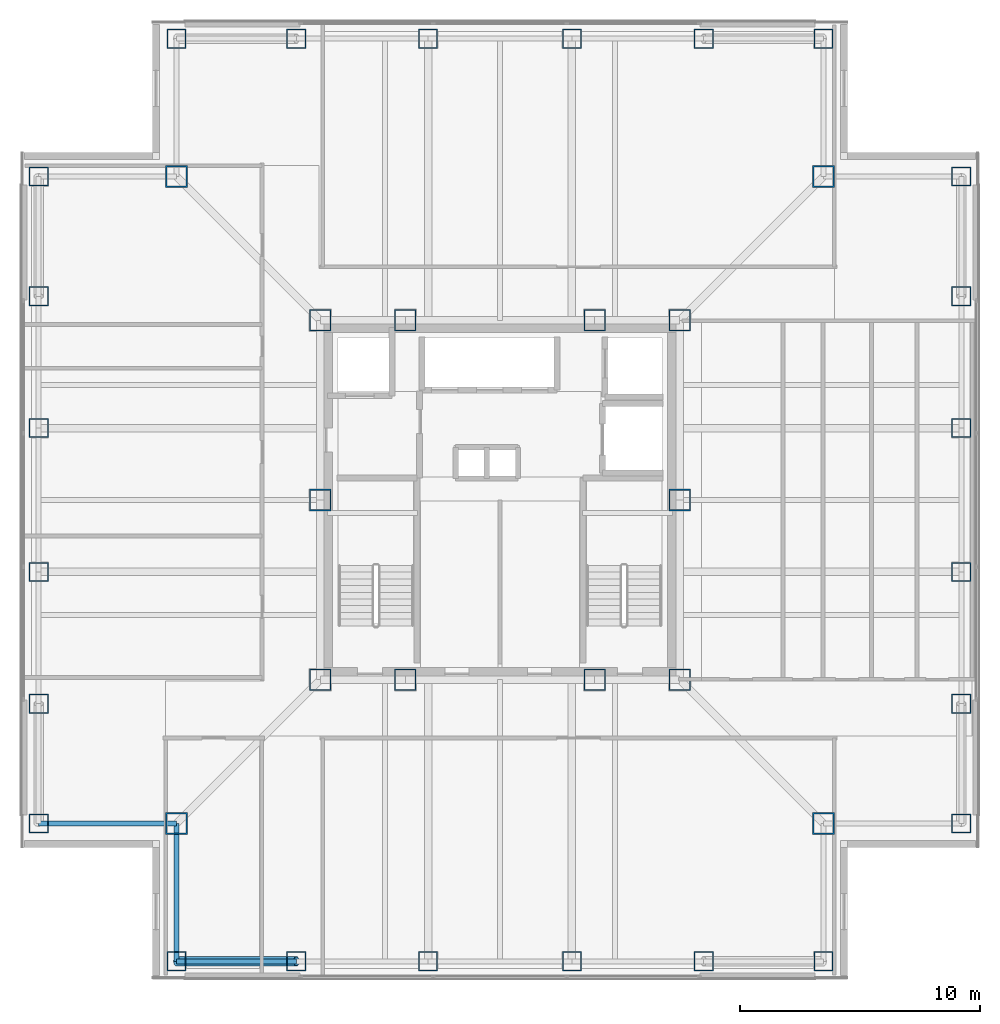
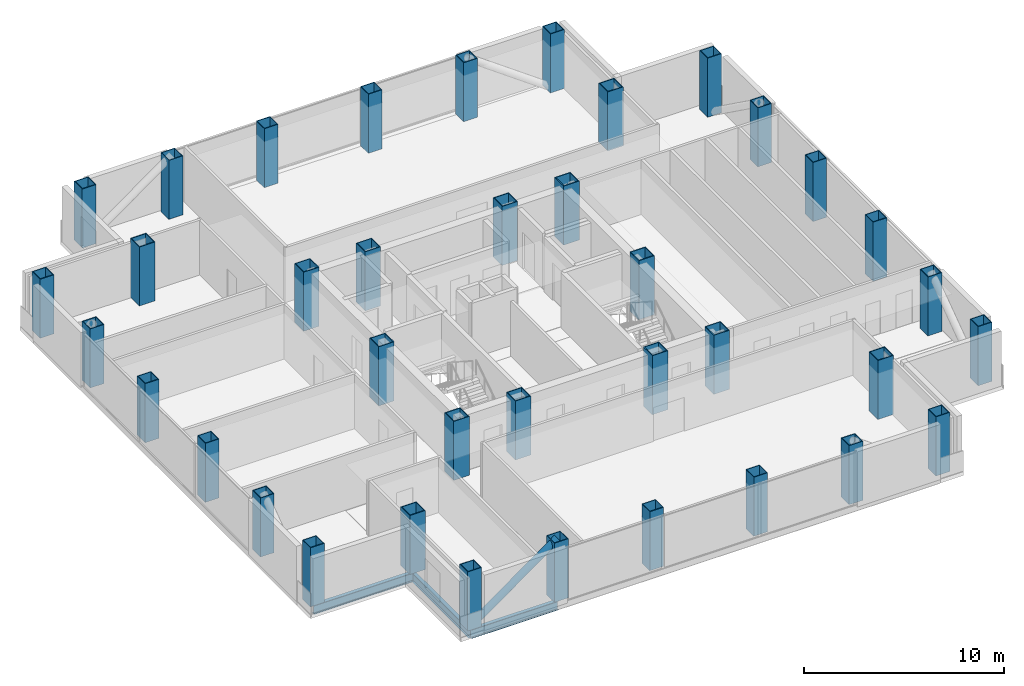
# One storey, part 1 of 16: 38 columns, 3 beams, 1 member.
"""IFC4 building model written with IfcOpenShell, lengths in metres."""

from ifc_helpers import new_model, si_unit, direction, frame, origin, origin_2d, place, context, subcontext, project, spatial, hollow_rectangle, hollow_circle, i_section, extrude, material, material_profile, profile_set, type_object, element, save


model = new_model("IFC4")

# Units and contexts
model_context = context("Model", 3, precision=1e-05, world=origin(), true_north=direction((0.0, 1.0)))
body_context = subcontext(model_context, "Body", "Model", "MODEL_VIEW")
ifc_project = project(units=[si_unit("LENGTHUNIT", "METRE"), si_unit("AREAUNIT", "SQUARE_METRE"), si_unit("VOLUMEUNIT", "CUBIC_METRE"), si_unit("PLANEANGLEUNIT", "RADIAN"), si_unit("MASSUNIT", "GRAM", prefix="KILO")], contexts=[model_context])

# Site, building, storey
site_placement = place(None, origin())
site = spatial("IfcSite", under=ifc_project, at=site_placement, CompositionType="ELEMENT")
building_placement = place(site_placement, origin())
building = spatial("IfcBuilding", under=site, at=building_placement, Name="Trevonay Congress Spire", CompositionType="ELEMENT")
storey_placement = place(building_placement, frame((0.0, 0.0, 202.199951171875)))
storey = spatial("IfcBuildingStorey", under=building, at=storey_placement, Name="L52", CompositionType="ELEMENT", Elevation=202.199951171875)

# Columns
ifc_material_1 = material(Name="Steel ASTM A572 Grade 50", Category="steel")
ifc_material_profile_1 = material_profile(ifc_material_1, hollow_rectangle(XDim=0.89990234375, YDim=0.89990234375, WallThickness=0.044921875, at=origin_2d()), Name="BOX 900x900x45")
ifc_profile_set_1 = profile_set([ifc_material_profile_1], Name="Steel ASTM A572 Grade 50")
column_type_1 = type_object("IfcColumnType", Name="COL-CORE-BOX900", PredefinedType="COLUMN", material=ifc_profile_set_1)
for number, where, z_axis, x_axis, name in (
    (1, (-7.5, -7.5, 0.0), (0.0, 0.0, 1.0), (1.0, 0.0, 0.0), "L52 column C04 at CC-SW"),
    (2, (-3.949951171875, -7.5, 0.0), (0.0, 0.0, 1.0), (1.0, 0.0, 0.0), "L52 column C04 at CC-SMW"),
    (3, (3.949951171875, -7.5, 0.0), (0.0, 0.0, 1.0), (1.0, 0.0, 0.0), "L52 column C04 at CC-SME"),
    (4, (7.5, -7.5, 0.0), (0.0, 0.0, 1.0), (1.0, 0.0, 0.0), "L52 column C04 at CC-SE"),
    (5, (7.5, 0.0, 0.0), (0.0, 0.0, 1.0), (1.0, 0.0, 0.0), "L52 column C04 at CC-E"),
    (6, (7.5, 7.5, 0.0), (0.0, 0.0, 1.0), (1.0, 0.0, 0.0), "L52 column C04 at CC-NE"),
    (7, (3.949951171875, 7.5, 0.0), (0.0, 0.0, 1.0), (1.0, 0.0, 0.0), "L52 column C04 at CC-NME"),
    (8, (-3.949951171875, 7.5, 0.0), (0.0, 0.0, 1.0), (1.0, 0.0, 0.0), "L52 column C04 at CC-NMW"),
    (9, (-7.5, 7.5, 0.0), (0.0, 0.0, 1.0), (1.0, 0.0, 0.0), "L52 column C04 at CC-NW"),
    (10, (-7.5, 0.0, 0.0), (0.0, 0.0, 1.0), (1.0, 0.0, 0.0), "L52 column C04 at CC-W"),
):
    element("IfcColumn", number, at=place(storey_placement, frame(where, z_axis=z_axis, x_axis=x_axis)), inside=storey, type_object=column_type_1, Name=name, PredefinedType="COLUMN", context=body_context, shape_type="SweptSolid", body=[
        extrude(hollow_rectangle(XDim=0.89990234375, YDim=0.89990234375, WallThickness=0.044921875, at=origin_2d()), origin(), (0.0, 0.0, 1.0), 3.60009765625),
    ])
ifc_material_profile_2 = material_profile(ifc_material_1, hollow_rectangle(XDim=0.800048828125, YDim=0.800048828125, WallThickness=0.0400390625, at=origin_2d()), Name="BOX 800x800x40")
ifc_profile_set_2 = profile_set([ifc_material_profile_2], Name="Steel ASTM A572 Grade 50")
column_type_2 = type_object("IfcColumnType", Name="COL-TUBE-BOX800", PredefinedType="COLUMN", material=ifc_profile_set_2)
for number, where, z_axis, x_axis, name in (
    (11, (-13.5, -19.25, 0.0), (0.0, 0.0, 1.0), (1.0, 0.0, 0.0), "L52 column C16 at TS-1"),
    (12, (-13.5, 19.25, 0.0), (0.0, 0.0, 1.0), (1.0, 0.0, 0.0), "L52 column C16 at TN-1"),
    (13, (-19.25, -13.5, 0.0), (0.0, 0.0, 1.0), (1.0, 0.0, 0.0), "L52 column C16 at TW-1"),
    (14, (19.25, -13.5, 0.0), (0.0, 0.0, 1.0), (1.0, 0.0, 0.0), "L52 column C16 at TE-1"),
    (15, (-8.5, -19.25, 0.0), (0.0, 0.0, 1.0), (1.0, 0.0, 0.0), "L52 column C16 at TS-2"),
    (16, (-8.5, 19.25, 0.0), (0.0, 0.0, 1.0), (1.0, 0.0, 0.0), "L52 column C16 at TN-2"),
    (17, (-19.25, -8.5, 0.0), (0.0, 0.0, 1.0), (1.0, 0.0, 0.0), "L52 column C16 at TW-2"),
    (18, (19.25, -8.5, 0.0), (0.0, 0.0, 1.0), (1.0, 0.0, 0.0), "L52 column C16 at TE-2"),
    (19, (-3.0, -19.25, 0.0), (0.0, 0.0, 1.0), (1.0, 0.0, 0.0), "L52 column C16 at TS-3"),
    (20, (-3.0, 19.25, 0.0), (0.0, 0.0, 1.0), (1.0, 0.0, 0.0), "L52 column C16 at TN-3"),
    (21, (-19.25, -3.0, 0.0), (0.0, 0.0, 1.0), (1.0, 0.0, 0.0), "L52 column C16 at TW-3"),
    (22, (19.25, -3.0, 0.0), (0.0, 0.0, 1.0), (1.0, 0.0, 0.0), "L52 column C16 at TE-3"),
    (23, (3.0, -19.25, 0.0), (0.0, 0.0, 1.0), (1.0, 0.0, 0.0), "L52 column C16 at TS-4"),
    (24, (3.0, 19.25, 0.0), (0.0, 0.0, 1.0), (1.0, 0.0, 0.0), "L52 column C16 at TN-4"),
    (25, (-19.25, 3.0, 0.0), (0.0, 0.0, 1.0), (1.0, 0.0, 0.0), "L52 column C16 at TW-4"),
    (26, (19.25, 3.0, 0.0), (0.0, 0.0, 1.0), (1.0, 0.0, 0.0), "L52 column C16 at TE-4"),
    (27, (8.5, -19.25, 0.0), (0.0, 0.0, 1.0), (1.0, 0.0, 0.0), "L52 column C16 at TS-5"),
    (28, (8.5, 19.25, 0.0), (0.0, 0.0, 1.0), (1.0, 0.0, 0.0), "L52 column C16 at TN-5"),
    (29, (-19.25, 8.5, 0.0), (0.0, 0.0, 1.0), (1.0, 0.0, 0.0), "L52 column C16 at TW-5"),
    (30, (19.25, 8.5, 0.0), (0.0, 0.0, 1.0), (1.0, 0.0, 0.0), "L52 column C16 at TE-5"),
    (31, (13.5, -19.25, 0.0), (0.0, 0.0, 1.0), (1.0, 0.0, 0.0), "L52 column C16 at TS-6"),
    (32, (13.5, 19.25, 0.0), (0.0, 0.0, 1.0), (1.0, 0.0, 0.0), "L52 column C16 at TN-6"),
    (33, (-19.25, 13.5, 0.0), (0.0, 0.0, 1.0), (1.0, 0.0, 0.0), "L52 column C16 at TW-6"),
    (34, (19.25, 13.5, 0.0), (0.0, 0.0, 1.0), (1.0, 0.0, 0.0), "L52 column C16 at TE-6"),
):
    element("IfcColumn", number, at=place(storey_placement, frame(where, z_axis=z_axis, x_axis=x_axis)), inside=storey, type_object=column_type_2, Name=name, PredefinedType="COLUMN", context=body_context, shape_type="SweptSolid", body=[
        extrude(hollow_rectangle(XDim=0.800048828125, YDim=0.800048828125, WallThickness=0.0400390625, at=origin_2d()), origin(), (0.0, 0.0, 1.0), 3.60009765625),
    ])
ifc_material_profile_3 = material_profile(ifc_material_1, hollow_rectangle(XDim=0.89990234375, YDim=0.89990234375, WallThickness=0.044921875, at=origin_2d()), Name="BOX 900x900x45")
ifc_profile_set_3 = profile_set([ifc_material_profile_3], Name="Steel ASTM A572 Grade 50")
column_type_3 = type_object("IfcColumnType", Name="COL-TUBE-BOX900", PredefinedType="COLUMN", material=ifc_profile_set_3)
for number, where, z_axis, x_axis, name in (
    (35, (-13.5, -13.5, 0.0), (0.0, 0.0, 1.0), (1.0, 0.0, 0.0), "L52 column C15 at NC-SW"),
    (36, (13.5, -13.5, 0.0), (0.0, 0.0, 1.0), (1.0, 0.0, 0.0), "L52 column C15 at NC-SE"),
    (37, (13.5, 13.5, 0.0), (0.0, 0.0, 1.0), (1.0, 0.0, 0.0), "L52 column C15 at NC-NE"),
    (38, (-13.5, 13.5, 0.0), (0.0, 0.0, 1.0), (1.0, 0.0, 0.0), "L52 column C15 at NC-NW"),
):
    element("IfcColumn", number, at=place(storey_placement, frame(where, z_axis=z_axis, x_axis=x_axis)), inside=storey, type_object=column_type_3, Name=name, PredefinedType="COLUMN", context=body_context, shape_type="SweptSolid", body=[
        extrude(hollow_rectangle(XDim=0.89990234375, YDim=0.89990234375, WallThickness=0.044921875, at=origin_2d()), origin(), (0.0, 0.0, 1.0), 3.60009765625),
    ])

# Beams
ifc_material_profile_4 = material_profile(ifc_material_1, i_section(OverallWidth=0.2119140625, OverallDepth=0.5439453125, WebThickness=0.01318359375, FlangeThickness=0.021240234375, FilletRadius=0.014892578125, at=origin_2d()), Name="W530x123")
ifc_profile_set_4 = profile_set([ifc_material_profile_4], Name="Steel ASTM A572 Grade 50")
beam_type = type_object("IfcBeamType", Name="BM-RING-W530X123", PredefinedType="BEAM", material=ifc_profile_set_4)
beam_placement = place(storey_placement, frame((-13.5, -19.25, -0.511962890625), z_axis=(1.0, 0.0, 0.0), x_axis=(0.0, 1.0, 0.0)))
element("IfcBeam", 39, at=beam_placement, inside=storey, type_object=beam_type, Name="L52 structural beam BM-L52-PS1", PredefinedType="BEAM", context=body_context, shape_type="SweptSolid", body=[
    extrude(i_section(OverallWidth=0.2119140625, OverallDepth=0.5439453125, WebThickness=0.01318359375, FlangeThickness=0.021240234375, FilletRadius=0.014892578125, at=origin_2d()), origin(), (0.0, 0.0, 1.0), 5.0),
])
for number, where, z_axis, x_axis, name in (
    (40, (-13.5, -19.25, -0.511962890625), (0.0, 1.0, 0.0), (-1.0, 0.0, 0.0), "L52 structural beam BM-L52-N1SW"),
    (41, (-19.25, -13.5, -0.511962890625), (1.0, 0.0, 0.0), (0.0, 1.0, 0.0), "L52 structural beam BM-L52-N2SW"),
):
    element("IfcBeam", number, at=place(storey_placement, frame(where, z_axis=z_axis, x_axis=x_axis)), inside=storey, type_object=beam_type, Name=name, PredefinedType="BEAM", context=body_context, shape_type="SweptSolid", body=[
        extrude(i_section(OverallWidth=0.2119140625, OverallDepth=0.5439453125, WebThickness=0.01318359375, FlangeThickness=0.021240234375, FilletRadius=0.014892578125, at=origin_2d()), origin(), (0.0, 0.0, 1.0), 5.75),
    ])

# Member
ifc_material_2 = material(Name="Steel ASTM A500 Grade C", Category="steel")
ifc_material_profile_5 = material_profile(ifc_material_2, hollow_circle(Radius=0.203125, WallThickness=0.02001953125, at=origin_2d()), Name="CHS 406.4x20")
ifc_profile_set_5 = profile_set([ifc_material_profile_5], Name="Steel ASTM A500 Grade C")
member_type = type_object("IfcMemberType", Name="MBR-TUBE-CHS406", PredefinedType="BRACE", material=ifc_profile_set_5)
member_placement = place(storey_placement, frame((-13.5, -19.25, -0.050048828125), z_axis=(0.811526825515, 0.0, 0.584315164504), x_axis=(0.0, 1.0, 0.0)))
element("IfcMember", 42, at=member_placement, inside=storey, type_object=member_type, Name="L52 perimeter braced-tube diagonal S0", PredefinedType="BRACE", context=body_context, shape_type="SweptSolid", body=[
    extrude(hollow_circle(Radius=0.203125, WallThickness=0.02001953125, at=origin_2d()), origin(), (0.0, 0.0, 1.0), 6.1611328125),
])

save(model, "model.ifc")
